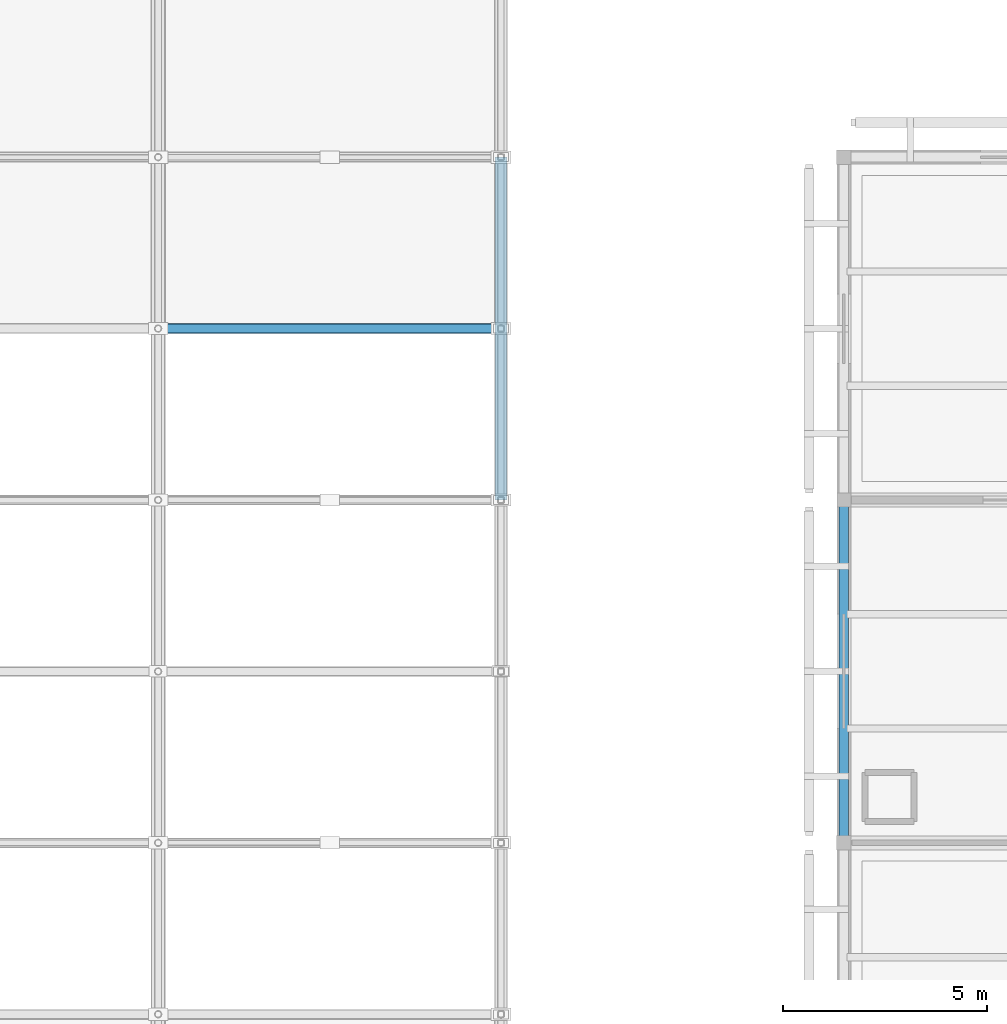
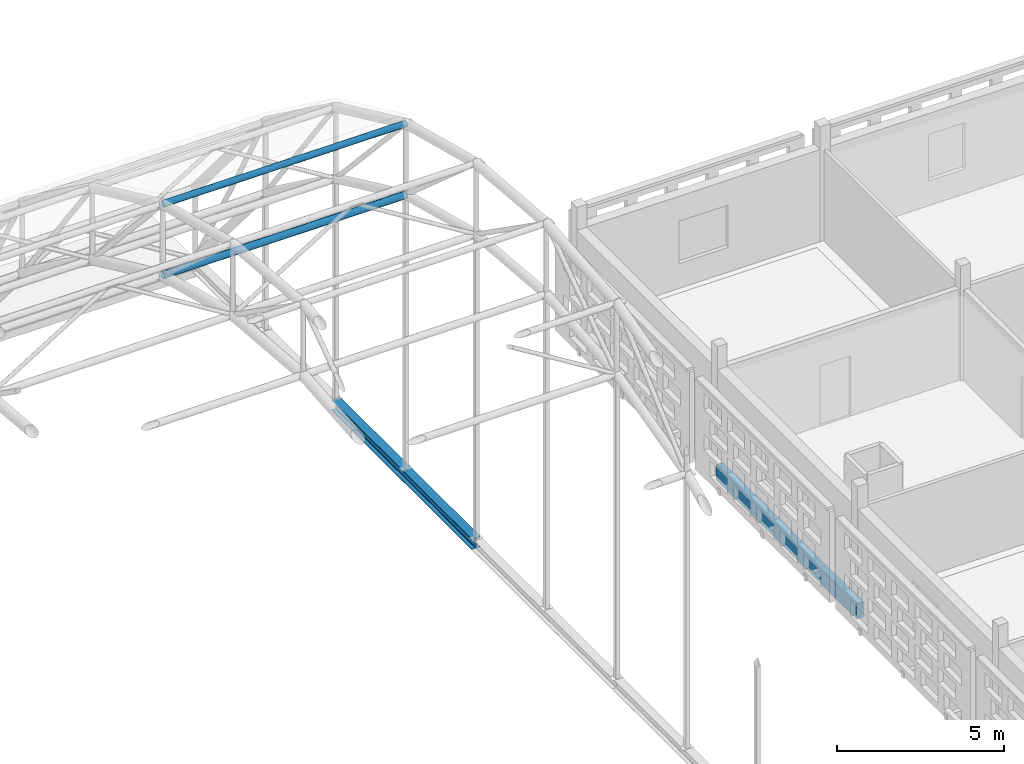
# One storey, part 60 of 103: 2 beams, 2 members.
"""IFC4 building model written with IfcOpenShell, lengths in metres."""

from ifc_helpers import new_model, si_unit, direction, frame, origin, origin_2d, place, context, subcontext, project, spatial, rectangle, hollow_circle, i_section, extrude, material, material_profile, profile_set, type_object, element, save


model = new_model("IFC4")

# Units and contexts
model_context = context("Model", 3, precision=1e-05, world=origin(), true_north=direction((0.0, 1.0)))
body_context = subcontext(model_context, "Body", "Model", "MODEL_VIEW")
ifc_project = project(units=[si_unit("LENGTHUNIT", "METRE"), si_unit("AREAUNIT", "SQUARE_METRE"), si_unit("VOLUMEUNIT", "CUBIC_METRE"), si_unit("PLANEANGLEUNIT", "RADIAN"), si_unit("MASSUNIT", "GRAM", prefix="KILO")], contexts=[model_context])

# Site, building, storey
site_placement = place(None, origin())
site = spatial("IfcSite", under=ifc_project, at=site_placement, CompositionType="ELEMENT")
building_placement = place(site_placement, origin())
building = spatial("IfcBuilding", under=site, at=building_placement, Name="Varnapada Polytechnic", CompositionType="ELEMENT")
storey_placement = place(building_placement, frame((0.0, 0.0, 18.0)))
storey = spatial("IfcBuildingStorey", under=building, at=storey_placement, Name="L04", CompositionType="ELEMENT", Elevation=18.0)

# Beams
ifc_material_1 = material(Name="Glulam GL32h", Category="wood")
ifc_material_profile_1 = material_profile(ifc_material_1, rectangle(XDim=0.239990234375, YDim=0.56005859375, at=origin_2d()), Name="GL 240x560")
ifc_profile_set_1 = profile_set([ifc_material_profile_1], Name="Glulam GL32h")
beam_type_1 = type_object("IfcBeamType", Name="Perimeter glulam spandrel beam SP-02 (GL 240x560)", PredefinedType="SPANDREL", material=ifc_profile_set_1)
beam_1_placement = place(storey_placement, frame((142.800048828125, 100.800048828125, -0.5), z_axis=(0.0, 1.0, 0.0), x_axis=(-1.0, 0.0, 0.0)))
element("IfcBeam", 1, at=beam_1_placement, inside=storey, type_object=beam_type_1, Name="L04 beam Y 13-14 at X18", PredefinedType="SPANDREL", context=body_context, shape_type="SweptSolid", body=[
    extrude(rectangle(XDim=0.239990234375, YDim=0.56005859375, at=origin_2d()), origin(), (0.0, 0.0, 1.0), 8.39990234375),
])
ifc_material_2 = material(Name="Steel S355", Category="steel")
ifc_material_profile_2 = material_profile(ifc_material_2, i_section(OverallWidth=0.300048828125, OverallDepth=0.389892578125, WebThickness=0.010986328125, FlangeThickness=0.01904296875, FilletRadius=0.027099609375, at=origin_2d()), Name="HEA 400")
ifc_profile_set_2 = profile_set([ifc_material_profile_2], Name="Steel S355")
beam_type_2 = type_object("IfcBeamType", Name="Steel roof primary girder SG-01 (HEA 400)", PredefinedType="BEAM", material=ifc_profile_set_2)
beam_2_placement = place(storey_placement, frame((134.39990234375, 109.199951171875, -0.18994140625), z_axis=(0.0, 1.0, 0.0), x_axis=(-1.0, 0.0, 0.0)))
element("IfcBeam", 2, at=beam_2_placement, inside=storey, type_object=beam_type_2, Name="L04 workshop arch tympanum sill girder E.4", PredefinedType="BEAM", context=body_context, shape_type="SweptSolid", body=[
    extrude(i_section(OverallWidth=0.300048828125, OverallDepth=0.389892578125, WebThickness=0.010986328125, FlangeThickness=0.01904296875, FilletRadius=0.027099609375, at=origin_2d()), origin(), (0.0, 0.0, 1.0), 8.400146484375),
])

# Members
ifc_material_profile_3 = material_profile(ifc_material_2, hollow_circle(Radius=0.122314453125, WallThickness=0.008056640625, at=origin_2d()), Name="CHS 244.5x8.0")
ifc_profile_set_3 = profile_set([ifc_material_profile_3], Name="Steel S355")
member_type_1 = type_object("IfcMemberType", Name="Vaulted space frame longitudinal bottom chord SFC-01 (CHS 244.5x8.0)", PredefinedType="CHORD", material=ifc_profile_set_3)
member_1_placement = place(storey_placement, frame((126.0, 113.39990234375, 9.98193359375), z_axis=(1.0, 0.0, 0.0), x_axis=(0.0, 1.0, 0.0)))
element("IfcMember", 3, at=member_1_placement, inside=storey, type_object=member_type_1, Name="Vaulted space frame longitudinal bottom chord 10.8", PredefinedType="CHORD", context=body_context, shape_type="SweptSolid", body=[
    extrude(hollow_circle(Radius=0.122314453125, WallThickness=0.008056640625, at=origin_2d()), origin(), (0.0, 0.0, 1.0), 8.39990234375),
])
ifc_material_profile_4 = material_profile(ifc_material_2, hollow_circle(Radius=0.109619140625, WallThickness=0.008056640625, at=origin_2d()), Name="CHS 219.1x8.0")
ifc_profile_set_4 = profile_set([ifc_material_profile_4], Name="Steel S355")
member_type_2 = type_object("IfcMemberType", Name="Vaulted space frame longitudinal top chord SFC-02 (CHS 219.1x8.0)", PredefinedType="CHORD", material=ifc_profile_set_4)
member_2_placement = place(storey_placement, frame((126.0, 113.39990234375, 12.581787109375), z_axis=(1.0, 0.0, 0.0), x_axis=(0.0, 1.0, 0.0)))
element("IfcMember", 4, at=member_2_placement, inside=storey, type_object=member_type_2, Name="Vaulted space frame longitudinal top chord 10.8", PredefinedType="CHORD", context=body_context, shape_type="SweptSolid", body=[
    extrude(hollow_circle(Radius=0.109619140625, WallThickness=0.008056640625, at=origin_2d()), origin(), (0.0, 0.0, 1.0), 8.39990234375),
])

save(model, "model.ifc")
